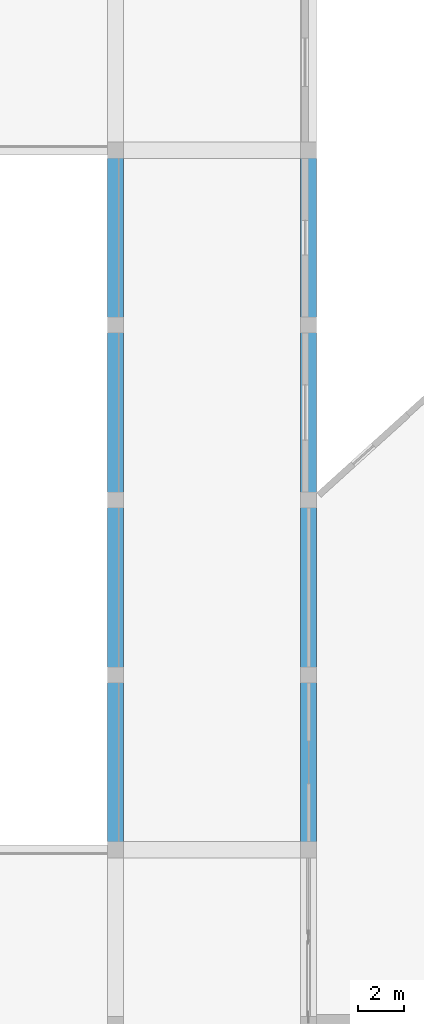
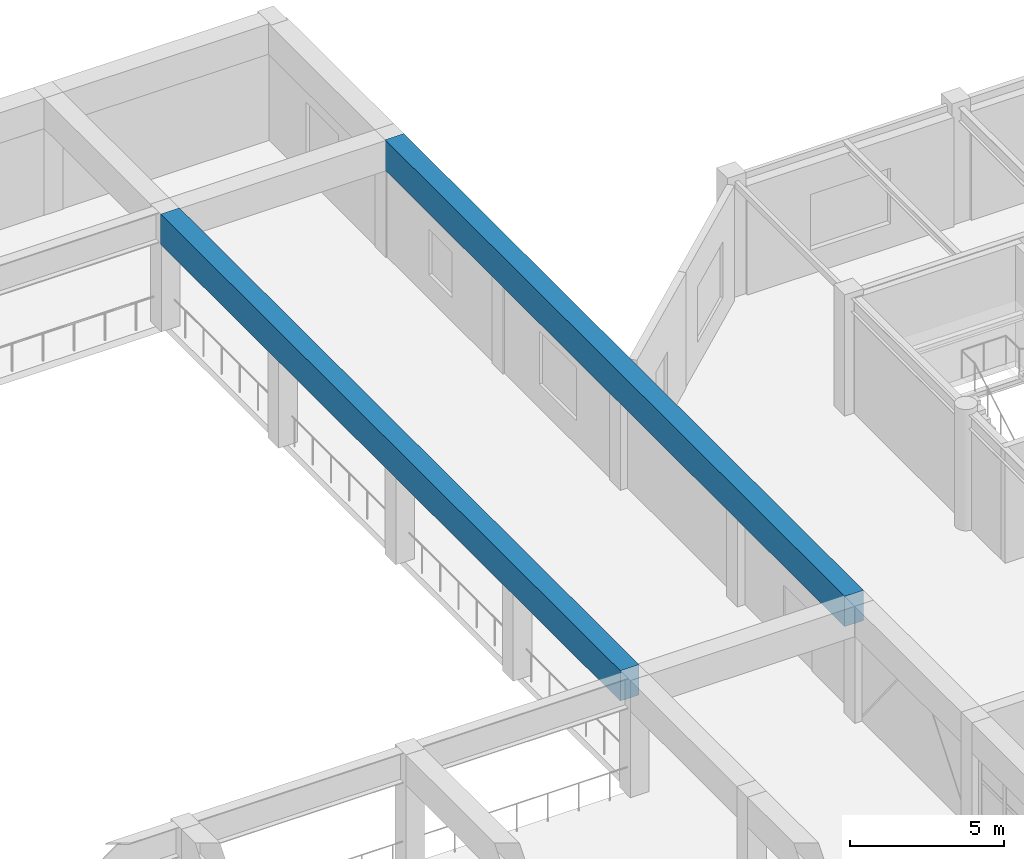
# One storey, part 23 of 72: 2 beams.
"""IFC4 building model written with IfcOpenShell, lengths in metres."""

from ifc_helpers import new_model, si_unit, direction, frame, origin, origin_2d, place, context, subcontext, project, spatial, rectangle, extrude, material, material_profile, profile_set, type_object, element, save


model = new_model("IFC4")

# Units and contexts
model_context = context("Model", 3, precision=1e-05, world=origin(), true_north=direction((0.0, 1.0)))
body_context = subcontext(model_context, "Body", "Model", "MODEL_VIEW")
ifc_project = project(units=[si_unit("LENGTHUNIT", "METRE"), si_unit("AREAUNIT", "SQUARE_METRE"), si_unit("VOLUMEUNIT", "CUBIC_METRE"), si_unit("PLANEANGLEUNIT", "RADIAN"), si_unit("MASSUNIT", "GRAM", prefix="KILO")], contexts=[model_context])

# Site, building, storey
site_placement = place(None, origin())
site = spatial("IfcSite", under=ifc_project, at=site_placement, CompositionType="ELEMENT")
building_placement = place(site_placement, origin())
building = spatial("IfcBuilding", under=site, at=building_placement, Name="Xicomal Pleat Aquarium", CompositionType="ELEMENT")
storey_placement = place(building_placement, frame((0.0, 0.0, 10.5)))
storey = spatial("IfcBuildingStorey", under=building, at=storey_placement, Name="L03", CompositionType="ELEMENT", Elevation=10.5)

# Beams
ifc_material = material(Name="Concrete C45/55", Category="concrete")
ifc_material_profile = material_profile(ifc_material, rectangle(XDim=0.699951171875, YDim=1.199951171875, at=origin_2d()), Name="RC 700x1200")
ifc_profile_set = profile_set([ifc_material_profile], Name="Concrete C45/55")
beam_type = type_object("IfcBeamType", Name="BM-RC-700x1200", PredefinedType="SPANDREL", material=ifc_profile_set)
for number, where, z_axis, x_axis, name in (
    (1, (85.800048828125, 45.89990234375, 4.034912109375), (0.0, 1.0, 0.0), (-1.0, 0.0, 0.0), "Ocean hall visible shell edge beam 11 G-L"),
    (2, (94.199951171875, 45.89990234375, 4.034912109375), (0.0, 1.0, 0.0), (-1.0, 0.0, 0.0), "Ocean hall visible shell edge beam 12 G-L"),
):
    element("IfcBeam", number, at=place(storey_placement, frame(where, z_axis=z_axis, x_axis=x_axis)), inside=storey, type_object=beam_type, Name=name, PredefinedType="SPANDREL", context=body_context, shape_type="SweptSolid", body=[
        extrude(rectangle(XDim=0.699951171875, YDim=1.199951171875, at=origin_2d()), origin(), (0.0, 0.0, 1.0), 29.800048828125),
    ])

save(model, "model.ifc")
